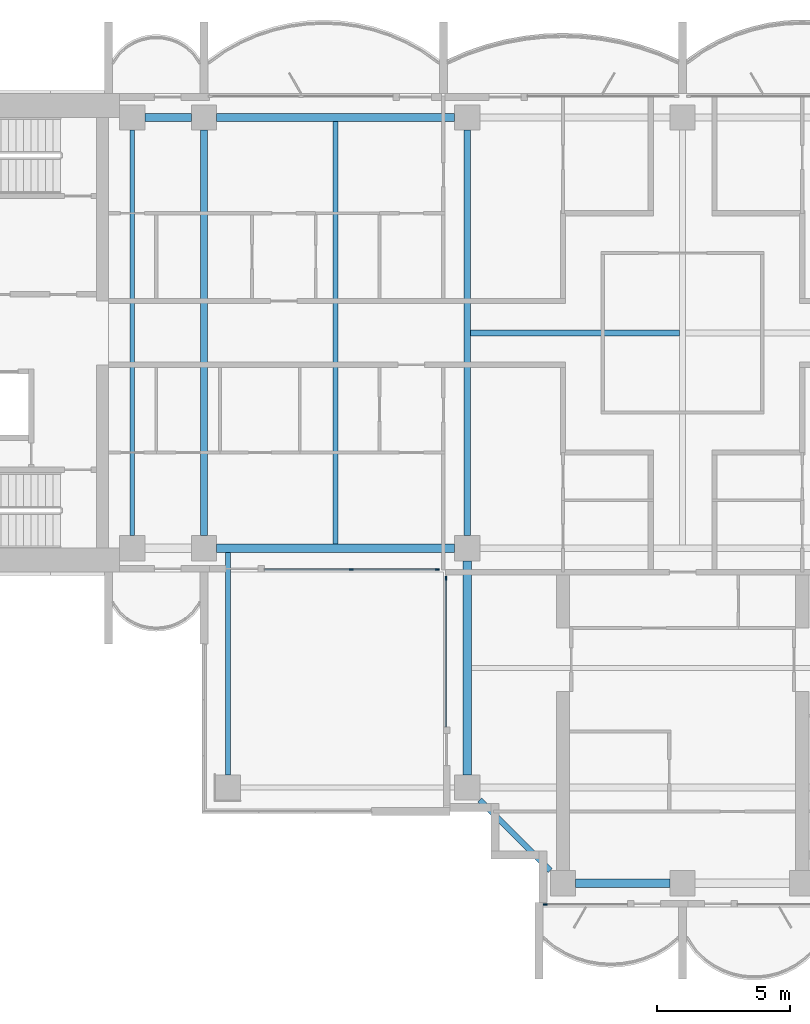
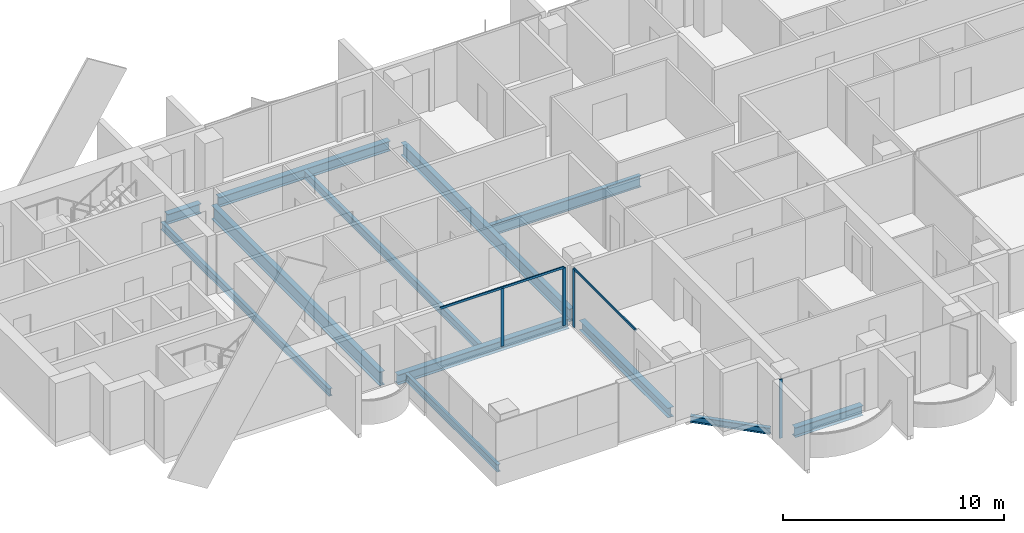
# One storey, part 2 of 17: 12 beams, 6 members, 3 elements without a shape of their own.
"""IFC4 building model written with IfcOpenShell, lengths in metres."""

import ifcopenshell
import ifcopenshell.guid

model = None  # the IFC model being written
_history = None  # IfcOwnerHistory: only IFC2X3 demands one
_inside = {}  # id of a spatial element -> (the spatial element, [elements in it])
_under = {}  # id of a project, library or spatial element -> (it, [spatial elements below it])
_declared = {}  # id of a project -> (the project, [libraries it declares])
_typed = {}  # id of a type object -> (the type object, [elements of that type])
_made_of = {}  # id of a material, layer set ... -> (it, [elements and type objects made of it])


def new_model(schema):
    """Start an empty IFC model of exactly this schema.

    Asked for "IFC4X3", IfcOpenShell would pick the latest addendum, in which some entities
    have other attributes; the version numbers below select the first issue.
    IFC2X3 requires an IfcOwnerHistory on every rooted entity: one is made here for all.
    """
    global model, _history
    if schema == "IFC4X3":
        model = ifcopenshell.file(schema_version=(4, 3, 0, 0))
    else:
        model = ifcopenshell.file(schema=schema)
    _inside.clear()
    _under.clear()
    _declared.clear()
    _typed.clear()
    _made_of.clear()
    _history = None
    if model.schema == "IFC2X3":
        org = make("IfcOrganization", Name="unknown")
        user = make(
            "IfcPersonAndOrganization",
            ThePerson=make("IfcPerson", FamilyName="unknown"),
            TheOrganization=org,
        )
        app = make(
            "IfcApplication",
            ApplicationDeveloper=org,
            Version="unknown",
            ApplicationFullName="unknown",
            ApplicationIdentifier="unknown",
        )
        _history = make(
            "IfcOwnerHistory",
            OwningUser=user,
            OwningApplication=app,
            ChangeAction="ADDED",
            CreationDate=0,
        )
    return model


def make(cls, **values):
    """One entity of the class cls with the attributes given. An attribute that is None is left unset."""
    return model.create_entity(
        cls, **{name: value for name, value in values.items() if value is not None}
    )


def rooted(cls, **values):
    """An entity with a GlobalId (a new one), such as an element, a storey or a relation."""
    return make(cls, GlobalId=ifcopenshell.guid.new(), OwnerHistory=_history, **values)


def si_unit(unit_type, name, prefix=None):
    """IfcSIUnit, for example si_unit("LENGTHUNIT", "METRE", prefix="MILLI")."""
    return make("IfcSIUnit", UnitType=unit_type, Prefix=prefix, Name=name)


def assignment(units):
    """IfcUnitAssignment: the units of a project."""
    return None if units is None else make("IfcUnitAssignment", Units=units)


def point(xyz):
    """IfcCartesianPoint."""
    return None if xyz is None else make("IfcCartesianPoint", Coordinates=xyz)


def direction(xyz):
    """IfcDirection."""
    return None if xyz is None else make("IfcDirection", DirectionRatios=xyz)


def frame(location, z_axis=None, x_axis=None):
    """IfcAxis2Placement3D, a coordinate frame: its origin and axes. An axis left out is left unset."""
    return make(
        "IfcAxis2Placement3D",
        Location=point(location),
        Axis=direction(z_axis),
        RefDirection=direction(x_axis),
    )


def frame_2d(location, x_axis=None):
    """IfcAxis2Placement2D, a coordinate frame in the plane: its origin and x axis."""
    return make(
        "IfcAxis2Placement2D", Location=point(location), RefDirection=direction(x_axis)
    )


def origin():
    """The frame at (0, 0, 0) with its axes left unset."""
    return frame((0.0, 0.0, 0.0))


def origin_2d():
    """The frame at (0, 0) in the plane with its x axis left unset."""
    return frame_2d((0.0, 0.0))


def place(relative_to, where):
    """IfcLocalPlacement: puts the frame where relative to a parent placement (None: the world)."""
    return make(
        "IfcLocalPlacement", PlacementRelTo=relative_to, RelativePlacement=where
    )


def context(
    kind, dimensions, precision=None, world=None, true_north=None, identifier=None
):
    """IfcGeometricRepresentationContext, for example the 3D "Model" context."""
    return make(
        "IfcGeometricRepresentationContext",
        ContextIdentifier=identifier,
        ContextType=kind,
        CoordinateSpaceDimension=dimensions,
        Precision=precision,
        WorldCoordinateSystem=world,
        TrueNorth=true_north,
    )


def subcontext(parent, identifier, kind, view, scale=None):
    """IfcGeometricRepresentationSubContext, for example "Body" below "Model"."""
    return make(
        "IfcGeometricRepresentationSubContext",
        ContextIdentifier=identifier,
        ContextType=kind,
        ParentContext=parent,
        TargetScale=scale,
        TargetView=view,
    )


def project(units=None, contexts=None):
    """IfcProject with its units and contexts."""
    return rooted(
        "IfcProject",
        Name="project",
        RepresentationContexts=contexts,
        UnitsInContext=assignment(units),
    )


def spatial(cls, under=None, at=None, **own):
    """A site, building, storey or space (cls), placed at a placement, below another one or the project."""
    s = rooted(cls, ObjectPlacement=at, **own)
    if under is not None:
        _under.setdefault(under.id(), (under, []))[1].append(s)
    return s


def profile(cls, at=None, kind="AREA", **sizes):
    """A parametric profile (cls). Its sizes go by their IFC names, for example OverallWidth=200.0."""
    return make(cls, ProfileType=kind, Position=at, **sizes)


def rectangle(**sizes):
    """IfcRectangleProfileDef."""
    return profile("IfcRectangleProfileDef", **sizes)


def i_section(**sizes):
    """IfcIShapeProfileDef."""
    return profile("IfcIShapeProfileDef", **sizes)


def extrude(swept, where, along, depth):
    """IfcExtrudedAreaSolid: the profile swept, set in the frame where, extruded along a direction by depth."""
    return make(
        "IfcExtrudedAreaSolid",
        SweptArea=swept,
        Position=where,
        ExtrudedDirection=direction(along),
        Depth=depth,
    )


def shape(context_of_items, identifier, shape_type, items):
    """IfcShapeRepresentation: the items that make up one representation, for example the "Body"."""
    return make(
        "IfcShapeRepresentation",
        ContextOfItems=context_of_items,
        RepresentationIdentifier=identifier,
        RepresentationType=shape_type,
        Items=items,
    )


def material(Name=None, Category=None):
    """IfcMaterial."""
    return make("IfcMaterial", Name=Name, Category=Category)


def material_profile(
    of_material, cross_section, Name=None, Category=None, Priority=None
):
    """IfcMaterialProfile: a cross section and its material."""
    return make(
        "IfcMaterialProfile",
        Name=Name,
        Material=of_material,
        Profile=cross_section,
        Priority=Priority,
        Category=Category,
    )


def profile_set(profiles, Name=None, composite=None):
    """IfcMaterialProfileSet."""
    return make(
        "IfcMaterialProfileSet",
        Name=Name,
        MaterialProfiles=profiles,
        CompositeProfile=composite,
    )


def made_of(thing, what):
    """Note that an element or type object is made of a material, layer set ...; save() writes the relation."""
    if what is not None:
        _made_of.setdefault(what.id(), (what, []))[1].append(thing)
    return thing


def type_object(cls, material=None, **own):
    """A type object (cls), such as IfcWallType, which elements share."""
    return made_of(rooted(cls, **own), material)


def element(
    cls,
    number,
    at=None,
    inside=None,
    cuts=None,
    type_object=None,
    material=None,
    context=None,
    identifier="Body",
    shape_type=None,
    held_by="IfcProductDefinitionShape",
    body=None,
    shapes=None,
    **own,
):
    """One element of the class cls, such as IfcWall. Its Tag is "e" and its number.

    at: its placement. inside: the storey or other place that contains it. cuts: it is an
    opening in that element (IfcRelVoidsElement). A single representation is given by context,
    identifier, shape_type and body (its items); several are given by shapes. held_by: the class
    of the entity that holds the representations. save() writes the other relations.
    """
    e = rooted(cls, Tag="e%d" % number, ObjectPlacement=at, **own)
    if body is not None:
        shapes = [shape(context, identifier, shape_type, body)]
    if shapes is not None:
        e.Representation = make(held_by, Representations=shapes)
    if inside is not None:
        _inside.setdefault(inside.id(), (inside, []))[1].append(e)
    if cuts is not None:
        rooted(
            "IfcRelVoidsElement", RelatingBuildingElement=cuts, RelatedOpeningElement=e
        )
    if type_object is not None:
        _typed.setdefault(type_object.id(), (type_object, []))[1].append(e)
    return made_of(e, material)


def aggregate(whole, parts):
    """IfcRelAggregates: a whole, such as a stair, and the parts it consists of."""
    return rooted("IfcRelAggregates", RelatingObject=whole, RelatedObjects=parts)


def save(model, path):
    """Write the relations noted so far, then the file.

    IfcRelAggregates (storeys below a building ...), IfcRelContainedInSpatialStructure (elements
    in a storey), IfcRelDefinesByType, IfcRelAssociatesMaterial and IfcRelDeclares: one each for
    every whole, place, type object, material and project.
    """
    for whole, parts in _under.values():
        aggregate(whole, parts)
    for where, things in _inside.values():
        rooted(
            "IfcRelContainedInSpatialStructure",
            RelatedElements=things,
            RelatingStructure=where,
        )
    for kind, things in _typed.values():
        rooted("IfcRelDefinesByType", RelatedObjects=things, RelatingType=kind)
    for what, things in _made_of.values():
        rooted("IfcRelAssociatesMaterial", RelatedObjects=things, RelatingMaterial=what)
    for by, libraries in _declared.values():
        rooted("IfcRelDeclares", RelatingContext=by, RelatedDefinitions=libraries)
    model.write(path)


model = new_model("IFC4")

# Units and contexts
model_context = context("Model", 3, precision=1e-05, world=origin(), true_north=direction((0.0, 1.0)))
body_context = subcontext(model_context, "Body", "Model", "MODEL_VIEW")
ifc_project = project(units=[si_unit("LENGTHUNIT", "METRE"), si_unit("AREAUNIT", "SQUARE_METRE"), si_unit("VOLUMEUNIT", "CUBIC_METRE"), si_unit("PLANEANGLEUNIT", "RADIAN"), si_unit("MASSUNIT", "GRAM", prefix="KILO")], contexts=[model_context])

# Site, building, storey
site_placement = place(None, origin())
site = spatial("IfcSite", under=ifc_project, at=site_placement, CompositionType="ELEMENT")
building_placement = place(site_placement, origin())
building = spatial("IfcBuilding", under=site, at=building_placement, Name="Perihelion Cross Residences", CompositionType="ELEMENT")
storey_placement = place(building_placement, frame((0.0, 0.0, 187.60009765625)))
storey = spatial("IfcBuildingStorey", under=building, at=storey_placement, Name="L46", CompositionType="ELEMENT", Elevation=187.60009765625)

# Curtain wall, members
ifc_material_1 = material(Name="Bronze anodised aluminium, tinted glazing", Category="aluminium")
curtain_wall_type = type_object("IfcCurtainWallType", Name="CW1", PredefinedType="NOTDEFINED", material=ifc_material_1)
curtain_wall_1_placement = place(storey_placement, origin())
curtain_wall_1 = element("IfcCurtainWall", 1, at=curtain_wall_1_placement, inside=storey, type_object=curtain_wall_type, Name="Curtain wall CW1 L46 west side south bay 2", PredefinedType="NOTDEFINED")
ifc_material_2 = material(Name="Bronze anodised aluminium", Category="aluminium")
ifc_material_profile_1 = material_profile(ifc_material_2, rectangle(XDim=0.06005859375, YDim=0.159912109375, at=origin_2d()), Name="CW1 mullion")
ifc_profile_set_1 = profile_set([ifc_material_profile_1], Name="Bronze anodised aluminium")
member_type_1 = type_object("IfcMemberType", Name="CW1 mullion", PredefinedType="MULLION", material=ifc_profile_set_1)
member_1_placement = place(storey_placement, frame((-12.46240234375, -8.89990234375, 0.0), z_axis=(0.0, 0.0, 1.0), x_axis=(0.0, 1.0, 0.0)))
member_1 = element("IfcMember", 2, at=member_1_placement, type_object=member_type_1, Name="CW1 mullion 2", PredefinedType="MULLION", context=body_context, shape_type="SweptSolid", body=[
    extrude(rectangle(XDim=0.06005859375, YDim=0.159912109375, at=origin_2d()), origin(), (0.0, 0.0, 1.0), 3.18994140625),
])
member_2_placement = place(storey_placement, frame((-9.22998046875, -8.89990234375, 0.0), z_axis=(0.0, 0.0, 1.0), x_axis=(0.0, 1.0, 0.0)))
member_2 = element("IfcMember", 3, at=member_2_placement, type_object=member_type_1, Name="CW1 mullion 3", PredefinedType="MULLION", context=body_context, shape_type="SweptSolid", body=[
    extrude(rectangle(XDim=0.06005859375, YDim=0.159912109375, at=origin_2d()), origin(), (0.0, 0.0, 1.0), 3.18994140625),
])

# Curtain wall, member
curtain_wall_2_placement = place(storey_placement, origin())
curtain_wall_2 = element("IfcCurtainWall", 4, at=curtain_wall_2_placement, inside=storey, type_object=curtain_wall_type, Name="Curtain wall CW1 L46 south side west bay 1", PredefinedType="NOTDEFINED")
member_3_placement = place(storey_placement, frame((-8.89990234375, -9.22998046875, 0.0), z_axis=(0.0, 0.0, 1.0), x_axis=(1.0, 0.0, 0.0)))
member_3 = element("IfcMember", 5, at=member_3_placement, type_object=member_type_1, Name="CW1 mullion 1", PredefinedType="MULLION", context=body_context, shape_type="SweptSolid", body=[
    extrude(rectangle(XDim=0.06005859375, YDim=0.159912109375, at=origin_2d()), origin(), (0.0, 0.0, 1.0), 3.18994140625),
])

curtain_wall_3_placement = place(storey_placement, origin())
curtain_wall_3 = element("IfcCurtainWall", 6, at=curtain_wall_3_placement, inside=storey, type_object=curtain_wall_type, Name="Curtain wall CW1 L46 south tip south bay 1", PredefinedType="NOTDEFINED")
member_4_placement = place(storey_placement, frame((-5.169921875, -21.5, 0.0), z_axis=(0.0, 0.0, 1.0), x_axis=(0.0, 1.0, 0.0)))
member_4 = element("IfcMember", 7, at=member_4_placement, type_object=member_type_1, Name="CW1 mullion 1", PredefinedType="MULLION", context=body_context, shape_type="SweptSolid", body=[
    extrude(rectangle(XDim=0.06005859375, YDim=0.159912109375, at=origin_2d()), origin(), (0.0, 0.0, 1.0), 3.25),
])
aggregate(curtain_wall_3, [member_4])

# Member
ifc_material_3 = material(Name="Bronze anodised aluminium", Category="aluminium")
ifc_material_profile_2 = material_profile(ifc_material_3, rectangle(XDim=0.06005859375, YDim=0.1201171875, at=origin_2d()), Name="CW1 transom")
ifc_profile_set_2 = profile_set([ifc_material_profile_2], Name="Bronze anodised aluminium")
member_type_2 = type_object("IfcMemberType", Name="CW1 transom", PredefinedType="USERDEFINED", material=ifc_profile_set_2)
member_5_placement = place(storey_placement, frame((-15.72509765625, -8.89990234375, 3.219970703125), z_axis=(1.0, 0.0, 0.0), x_axis=(0.0, 1.0, 0.0)))
member_5 = element("IfcMember", 8, at=member_5_placement, type_object=member_type_2, Name="CW1 head transom", ObjectType="TRANSOM", PredefinedType="USERDEFINED", context=body_context, shape_type="SweptSolid", body=[
    extrude(rectangle(XDim=0.06005859375, YDim=0.1201171875, at=origin_2d()), origin(), (0.0, 0.0, 1.0), 6.4951171875),
])

aggregate(curtain_wall_1, [member_1, member_2, member_5])

member_6_placement = place(storey_placement, frame((-8.89990234375, -9.22998046875, 3.219970703125), z_axis=(0.0, -1.0, 0.0), x_axis=(1.0, 0.0, 0.0)))
member_6 = element("IfcMember", 9, at=member_6_placement, type_object=member_type_2, Name="CW1 head transom", ObjectType="TRANSOM", PredefinedType="USERDEFINED", context=body_context, shape_type="SweptSolid", body=[
    extrude(rectangle(XDim=0.06005859375, YDim=0.1201171875, at=origin_2d()), origin(), (0.0, 0.0, 1.0), 5.594970703125),
])

aggregate(curtain_wall_2, [member_3, member_6])

# Beams
ifc_material_4 = material(Name="Steel S355", Category="steel")
ifc_material_profile_3 = material_profile(ifc_material_4, i_section(OverallWidth=0.177978515625, OverallDepth=0.406005859375, WebThickness=0.0078125, FlangeThickness=0.0126953125, at=origin_2d()), Name="W410x60")
ifc_profile_set_3 = profile_set([ifc_material_profile_3], Name="Steel S355")
beam_type_1 = type_object("IfcBeamType", Name="Core edge beam W410x60", PredefinedType="BEAM", material=ifc_profile_set_3)
beam_1_placement = place(storey_placement, frame((-17.10009765625, -8.256103515625, -0.453125), z_axis=(0.0, -1.0, 0.0), x_axis=(1.0, 0.0, 0.0)))
element("IfcBeam", 10, at=beam_1_placement, inside=storey, type_object=beam_type_1, Name="Core edge beam TB2 L46 corner no. 1", PredefinedType="BEAM", context=body_context, shape_type="SweptSolid", body=[
    extrude(i_section(OverallWidth=0.177978515625, OverallDepth=0.406005859375, WebThickness=0.0078125, FlangeThickness=0.0126953125, at=origin_2d()), origin(), (0.0, 0.0, 1.0), 8.368896484375),
])
ifc_material_5 = material(Name="Steel S355", Category="steel")
ifc_material_profile_4 = material_profile(ifc_material_5, i_section(OverallWidth=0.180908203125, OverallDepth=0.4169921875, WebThickness=0.010986328125, FlangeThickness=0.018310546875, at=origin_2d()), Name="W410x85")
ifc_profile_set_4 = profile_set([ifc_material_profile_4], Name="Steel S355")
beam_type_2 = type_object("IfcBeamType", Name="Core edge beam W410x85", PredefinedType="BEAM", material=ifc_profile_set_4)
beam_2_placement = place(storey_placement, frame((-20.699951171875, -7.625, -0.45849609375), z_axis=(0.0, 1.0, 0.0), x_axis=(-1.0, 0.0, 0.0)))
element("IfcBeam", 11, at=beam_2_placement, inside=storey, type_object=beam_type_2, Name="Core edge beam TB6 L46 no. 1", PredefinedType="BEAM", context=body_context, shape_type="SweptSolid", body=[
    extrude(i_section(OverallWidth=0.180908203125, OverallDepth=0.4169921875, WebThickness=0.010986328125, FlangeThickness=0.018310546875, at=origin_2d()), origin(), (0.0, 0.0, 1.0), 15.25),
])
ifc_material_6 = material(Name="Steel S355", Category="steel")
ifc_material_profile_5 = material_profile(ifc_material_6, i_section(OverallWidth=0.31201171875, OverallDepth=0.5439453125, WebThickness=0.0126953125, FlangeThickness=0.020263671875, at=origin_2d()), Name="W530x150")
ifc_profile_set_5 = profile_set([ifc_material_profile_5], Name="Steel S355")
beam_type_3 = type_object("IfcBeamType", Name="Edge beam W530x150", PredefinedType="SPANDREL", material=ifc_profile_set_5)
beam_3_placement = place(storey_placement, frame((-8.574951171875, 8.10009765625, -0.522216796875), z_axis=(-1.0, 0.0, 0.0), x_axis=(0.0, -1.0, 0.0)))
element("IfcBeam", 12, at=beam_3_placement, inside=storey, type_object=beam_type_3, Name="Edge beam SB4 L46 no. 6", PredefinedType="SPANDREL", context=body_context, shape_type="SweptSolid", body=[
    extrude(i_section(OverallWidth=0.31201171875, OverallDepth=0.5439453125, WebThickness=0.0126953125, FlangeThickness=0.020263671875, at=origin_2d()), origin(), (0.0, 0.0, 1.0), 8.949951171875),
])
beam_4_placement = place(storey_placement, frame((-18.47509765625, 8.10009765625, -0.522216796875), z_axis=(-1.0, 0.0, 0.0), x_axis=(0.0, -1.0, 0.0)))
element("IfcBeam", 13, at=beam_4_placement, inside=storey, type_object=beam_type_3, Name="Edge beam SB4 L46 no. 2", PredefinedType="SPANDREL", context=body_context, shape_type="SweptSolid", body=[
    extrude(i_section(OverallWidth=0.31201171875, OverallDepth=0.5439453125, WebThickness=0.0126953125, FlangeThickness=0.020263671875, at=origin_2d()), origin(), (0.0, 0.0, 1.0), 1.75),
])
beam_5_placement = place(storey_placement, frame((-17.52490234375, -8.10009765625, -0.522216796875), z_axis=(1.0, 0.0, 0.0), x_axis=(0.0, 1.0, 0.0)))
element("IfcBeam", 14, at=beam_5_placement, inside=storey, type_object=beam_type_3, Name="Edge beam SB4 L46 no. 1", PredefinedType="SPANDREL", context=body_context, shape_type="SweptSolid", body=[
    extrude(i_section(OverallWidth=0.31201171875, OverallDepth=0.5439453125, WebThickness=0.0126953125, FlangeThickness=0.020263671875, at=origin_2d()), origin(), (0.0, 0.0, 1.0), 8.949951171875),
])
beam_6_placement = place(storey_placement, frame((-8.10009765625, -8.574951171875, -0.522216796875), z_axis=(0.0, -1.0, 0.0), x_axis=(1.0, 0.0, 0.0)))
element("IfcBeam", 15, at=beam_6_placement, inside=storey, type_object=beam_type_3, Name="Edge beam SB4 L46 no. 5", PredefinedType="SPANDREL", context=body_context, shape_type="SweptSolid", body=[
    extrude(i_section(OverallWidth=0.31201171875, OverallDepth=0.5439453125, WebThickness=0.0126953125, FlangeThickness=0.020263671875, at=origin_2d()), origin(), (0.0, 0.0, 1.0), 8.050048828125),
])
beam_7_placement = place(storey_placement, frame((-4.02490234375, -20.699951171875, -0.522216796875), z_axis=(1.0, 0.0, 0.0), x_axis=(0.0, 1.0, 0.0)))
element("IfcBeam", 16, at=beam_7_placement, inside=storey, type_object=beam_type_3, Name="Edge beam SB4 L46 no. 4", PredefinedType="SPANDREL", context=body_context, shape_type="SweptSolid", body=[
    extrude(i_section(OverallWidth=0.31201171875, OverallDepth=0.5439453125, WebThickness=0.0126953125, FlangeThickness=0.020263671875, at=origin_2d()), origin(), (0.0, 0.0, 1.0), 3.5498046875),
])
ifc_material_7 = material(Name="Steel S355", Category="steel")
ifc_material_profile_6 = material_profile(ifc_material_7, i_section(OverallWidth=0.26708984375, OverallDepth=0.77001953125, WebThickness=0.015625, FlangeThickness=0.025390625, at=origin_2d()), Name="W760x196")
ifc_profile_set_6 = profile_set([ifc_material_profile_6], Name="Steel S355")
beam_type_4 = type_object("IfcBeamType", Name="Floor girder W760x196", PredefinedType="BEAM", material=ifc_profile_set_6)
beam_8_placement = place(storey_placement, frame((-18.0, -7.625, -0.635009765625), z_axis=(0.0, 1.0, 0.0), x_axis=(-1.0, 0.0, 0.0)))
element("IfcBeam", 17, at=beam_8_placement, inside=storey, type_object=beam_type_4, Name="Girder G4 L46 no. 1", PredefinedType="BEAM", context=body_context, shape_type="SweptSolid", body=[
    extrude(i_section(OverallWidth=0.26708984375, OverallDepth=0.77001953125, WebThickness=0.015625, FlangeThickness=0.025390625, at=origin_2d()), origin(), (0.0, 0.0, 1.0), 15.25),
])
ifc_material_8 = material(Name="Steel S355", Category="steel")
ifc_material_profile_7 = material_profile(ifc_material_8, i_section(OverallWidth=0.19091796875, OverallDepth=0.45703125, WebThickness=0.009033203125, FlangeThickness=0.014404296875, at=origin_2d()), Name="W460x74")
ifc_profile_set_7 = profile_set([ifc_material_profile_7], Name="Steel S355")
beam_type_5 = type_object("IfcBeamType", Name="Floor joist W460x74", PredefinedType="JOIST", material=ifc_profile_set_7)
beam_9_placement = place(storey_placement, frame((-13.050048828125, -7.944091796875, -0.478515625), z_axis=(0.0, 1.0, 0.0), x_axis=(-1.0, 0.0, 0.0)))
element("IfcBeam", 18, at=beam_9_placement, inside=storey, type_object=beam_type_5, Name="Joist J5 L46 no. 1", PredefinedType="JOIST", context=body_context, shape_type="SweptSolid", body=[
    extrude(i_section(OverallWidth=0.19091796875, OverallDepth=0.45703125, WebThickness=0.009033203125, FlangeThickness=0.014404296875, at=origin_2d()), origin(), (0.0, 0.0, 1.0), 15.88818359375),
])
ifc_material_9 = material(Name="Steel S355", Category="steel")
ifc_material_profile_8 = material_profile(ifc_material_9, i_section(OverallWidth=0.22900390625, OverallDepth=0.612060546875, WebThickness=0.011962890625, FlangeThickness=0.01953125, at=origin_2d()), Name="W610x125")
ifc_profile_set_8 = profile_set([ifc_material_profile_8], Name="Steel S355")
beam_type_6 = type_object("IfcBeamType", Name="Hub cross beam W610x125", PredefinedType="BEAM", material=ifc_profile_set_8)
beam_10_placement = place(storey_placement, frame((-7.971435546875, 0.0, -0.55615234375), z_axis=(1.0, 0.0, 0.0), x_axis=(0.0, 1.0, 0.0)))
element("IfcBeam", 19, at=beam_10_placement, inside=storey, type_object=beam_type_6, Name="Hub cross beam XB4 L46 1 no. 1", PredefinedType="BEAM", context=body_context, shape_type="SweptSolid", body=[
    extrude(i_section(OverallWidth=0.22900390625, OverallDepth=0.612060546875, WebThickness=0.011962890625, FlangeThickness=0.01953125, at=origin_2d()), origin(), (0.0, 0.0, 1.0), 7.85693359375),
])
ifc_material_10 = material(Name="Steel S355", Category="steel")
ifc_material_profile_9 = material_profile(ifc_material_10, i_section(OverallWidth=0.257080078125, OverallDepth=0.693115234375, WebThickness=0.014404296875, FlangeThickness=0.023681640625, at=origin_2d()), Name="W690x170")
ifc_profile_set_9 = profile_set([ifc_material_profile_9], Name="Steel S355")
beam_type_7 = type_object("IfcBeamType", Name="Hub ring girder W690x170", PredefinedType="BEAM", material=ifc_profile_set_9)
beam_11_placement = place(storey_placement, frame((-8.10009765625, 7.625, -0.5966796875), z_axis=(0.0, -1.0, 0.0), x_axis=(1.0, 0.0, 0.0)))
element("IfcBeam", 20, at=beam_11_placement, inside=storey, type_object=beam_type_7, Name="Hub ring girder RG4 L46 no. 2", PredefinedType="BEAM", context=body_context, shape_type="SweptSolid", body=[
    extrude(i_section(OverallWidth=0.257080078125, OverallDepth=0.693115234375, WebThickness=0.014404296875, FlangeThickness=0.023681640625, at=origin_2d()), origin(), (0.0, 0.0, 1.0), 15.25),
])
ifc_material_11 = material(Name="Steel S355", Category="steel")
ifc_material_profile_10 = material_profile(ifc_material_11, i_section(OverallWidth=0.205078125, OverallDepth=0.35302734375, WebThickness=0.009521484375, FlangeThickness=0.016845703125, at=origin_2d()), Name="W360x79")
ifc_profile_set_10 = profile_set([ifc_material_profile_10], Name="Steel S355")
beam_type_8 = type_object("IfcBeamType", Name="Serration edge beam W360x79", PredefinedType="BEAM", material=ifc_profile_set_10)
beam_12_placement = place(storey_placement, frame((-7.625, -17.574951171875, -0.426513671875), z_axis=(0.70707420838, -0.707139352493, 0.0), x_axis=(0.707139352493, 0.70707420838, 0.0)))
element("IfcBeam", 21, at=beam_12_placement, inside=storey, type_object=beam_type_8, Name="Serration edge beam EB4 L46 no. 1", PredefinedType="BEAM", context=body_context, shape_type="SweptSolid", body=[
    extrude(i_section(OverallWidth=0.205078125, OverallDepth=0.35302734375, WebThickness=0.009521484375, FlangeThickness=0.016845703125, at=origin_2d()), origin(), (0.0, 0.0, 1.0), 3.747802734375),
])

save(model, "model.ifc")
